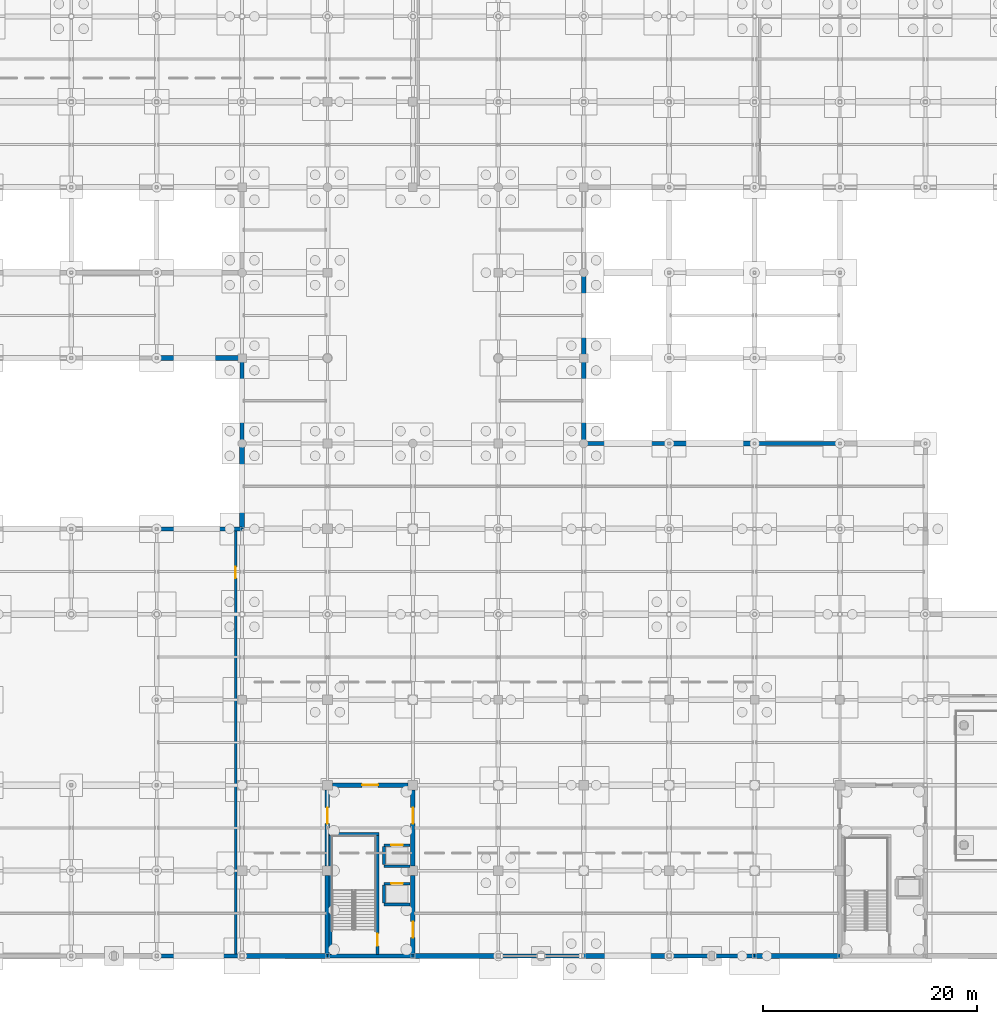
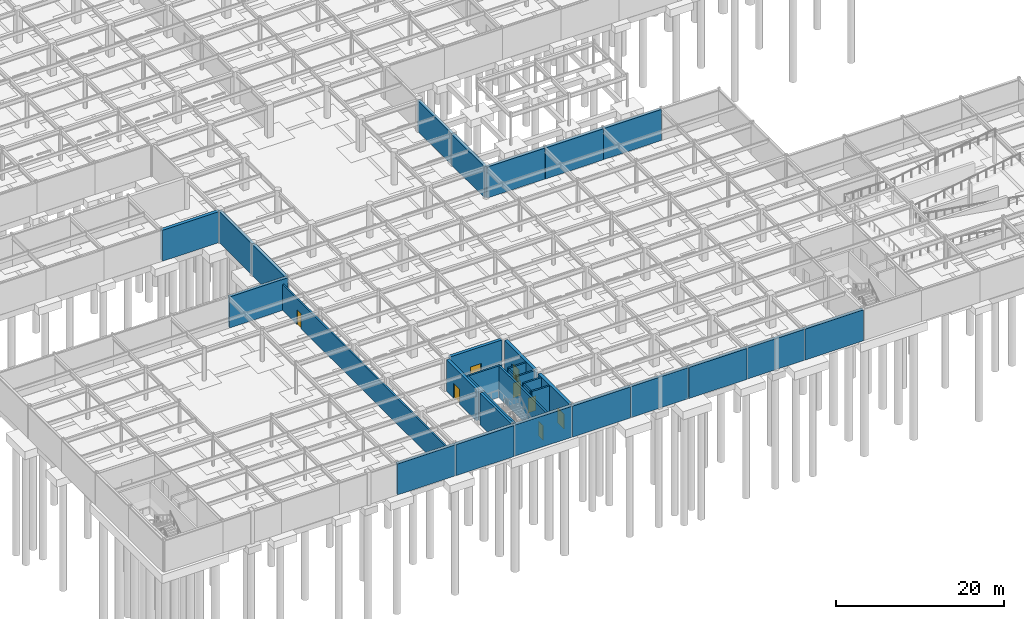
# One storey, part 57 of 105: 32 walls, 8 doors, 8 openings.
"""IFC4 building model written with IfcOpenShell, lengths in metres."""

from ifc_helpers import new_model, si_unit, direction, frame, frame_2d, origin, place, context, subcontext, project, spatial, rectangle, extrude, material, layer, layer_set, type_object, element, fill, save


model = new_model("IFC4")

# Units and contexts
model_context = context("Model", 3, precision=1e-05, world=origin(), true_north=direction((0.0, 1.0)))
body_context = subcontext(model_context, "Body", "Model", "MODEL_VIEW")
ifc_project = project(units=[si_unit("LENGTHUNIT", "METRE"), si_unit("AREAUNIT", "SQUARE_METRE"), si_unit("VOLUMEUNIT", "CUBIC_METRE"), si_unit("PLANEANGLEUNIT", "RADIAN"), si_unit("MASSUNIT", "GRAM", prefix="KILO")], contexts=[model_context])

# Site, building, storey
site_placement = place(None, origin())
site = spatial("IfcSite", under=ifc_project, at=site_placement, CompositionType="ELEMENT")
building_placement = place(site_placement, origin())
building = spatial("IfcBuilding", under=site, at=building_placement, Name="Solmirada Galleria", CompositionType="ELEMENT")
storey_placement = place(building_placement, frame((0.0, 0.0, -4.800048828125)))
storey = spatial("IfcBuildingStorey", under=building, at=storey_placement, Name="B1", CompositionType="ELEMENT", Elevation=-4.800048828125)

# Wall, opening, door
ifc_material_1 = material(Name="Concrete C40/50", Category="concrete")
ifc_layer_1 = layer(ifc_material_1, 0.419921875)
ifc_layer_set_1 = layer_set([ifc_layer_1], Name="Concrete C40/50")
wall_type_1 = type_object("IfcWallType", Name="WL-CORE-420", PredefinedType="SHEAR", material=ifc_layer_set_1)
wall_1_placement = place(storey_placement, frame((88.449951171875, 16.0, 0.0), z_axis=(0.0, 0.0, 1.0), x_axis=(1.0, 0.0, 0.0)))
wall_1 = element("IfcWall", 1, at=wall_1_placement, inside=storey, type_object=wall_type_1, Name="Core C2 shear wall B1 N1", PredefinedType="SHEAR", context=body_context, shape_type="SweptSolid", body=[
    extrude(rectangle(XDim=7.10009765625, YDim=0.419921875, at=frame_2d((3.550048828125, 0.0))), origin(), (0.0, 0.0, 1.0), 4.580078125),
])
opening_1_placement = place(wall_1_placement, frame((2.800048828125, 0.0, 0.0)))
opening_1 = element("IfcOpeningElement", 2, at=opening_1_placement, cuts=wall_1, Name="Opening LDY-130", PredefinedType="OPENING", context=body_context, shape_type="SweptSolid", body=[
    extrude(rectangle(XDim=1.5, YDim=2.14990234375, at=frame_2d((0.75, 1.074951171875))), frame((0.0, 0.219970703125, 0.0), z_axis=(0.0, -1.0, 0.0), x_axis=(1.0, 0.0, 0.0)), (0.0, 0.0, 1.0), 0.43994140625),
])
ifc_material_2 = material(Name="Fire-rated painted steel door assembly", Category="steel")
door_type_1 = type_object("IfcDoorType", Name="DR-LOBBY-150X215", OperationType="DOUBLE_DOOR_SINGLE_SWING", PredefinedType="DOOR", material=ifc_material_2)
door_1_placement = place(opening_1_placement, origin())
door_1 = element("IfcDoor", 3, at=door_1_placement, inside=storey, type_object=door_type_1, Name="Core C2 lobby access fire door LDY-130", OperationType="DOUBLE_DOOR_SINGLE_SWING", OverallHeight=2.14990234375, OverallWidth=1.5, PredefinedType="DOOR", context=body_context, shape_type="SweptSolid", body=[
    extrude(rectangle(XDim=1.5, YDim=2.14990234375, at=frame_2d((0.75, 1.074951171875))), frame((0.0, 0.02490234375, 0.0), z_axis=(0.0, -1.0, 0.0), x_axis=(1.0, 0.0, 0.0)), (0.0, 0.0, 1.0), 0.050048828125),
])
fill(opening_1, door_1)

# Wall
wall_2_placement = place(storey_placement, frame((88.0, 0.202880859375, 0.0), z_axis=(0.0, 0.0, 1.0), x_axis=(0.0, 1.0, 0.0)))
element("IfcWall", 4, at=wall_2_placement, inside=storey, type_object=wall_type_1, Name="Core C2 shear wall B1 W1", PredefinedType="SHEAR", context=body_context, shape_type="SweptSolid", body=[
    extrude(rectangle(XDim=7.34716796875, YDim=0.419921875, at=frame_2d((3.673583984375, 0.0))), origin(), (0.0, 0.0, 1.0), 4.580078125),
])

# Wall, opening, door
wall_3_placement = place(storey_placement, frame((88.0, 8.449951171875, 0.0), z_axis=(0.0, 0.0, 1.0), x_axis=(0.0, 1.0, 0.0)))
wall_3 = element("IfcWall", 5, at=wall_3_placement, inside=storey, type_object=wall_type_1, Name="Core C2 shear wall B1 W2", PredefinedType="SHEAR", context=body_context, shape_type="SweptSolid", body=[
    extrude(rectangle(XDim=7.10009765625, YDim=0.419921875, at=frame_2d((3.550048828125, 0.0))), origin(), (0.0, 0.0, 1.0), 4.580078125),
])
opening_2_placement = place(wall_3_placement, frame((3.949951171875, 0.0, 0.0)))
opening_2 = element("IfcOpeningElement", 6, at=opening_2_placement, cuts=wall_3, Name="Opening LDY-131", PredefinedType="OPENING", context=body_context, shape_type="SweptSolid", body=[
    extrude(rectangle(XDim=1.5, YDim=2.14990234375, at=frame_2d((0.75, 1.074951171875))), frame((0.0, 0.219970703125, 0.0), z_axis=(0.0, -1.0, 0.0), x_axis=(1.0, 0.0, 0.0)), (0.0, 0.0, 1.0), 0.43994140625),
])
door_2_placement = place(opening_2_placement, origin())
door_2 = element("IfcDoor", 7, at=door_2_placement, inside=storey, type_object=door_type_1, Name="Core C2 lobby access fire door LDY-131", OperationType="DOUBLE_DOOR_SINGLE_SWING", OverallHeight=2.14990234375, OverallWidth=1.5, PredefinedType="DOOR", context=body_context, shape_type="SweptSolid", body=[
    extrude(rectangle(XDim=1.5, YDim=2.14990234375, at=frame_2d((0.75, 1.074951171875))), frame((0.0, 0.02490234375, 0.0), z_axis=(0.0, -1.0, 0.0), x_axis=(1.0, 0.0, 0.0)), (0.0, 0.0, 1.0), 0.050048828125),
])
fill(opening_2, door_2)

wall_4_placement = place(storey_placement, frame((96.0, 0.202880859375, 0.0), z_axis=(0.0, 0.0, 1.0), x_axis=(0.0, 1.0, 0.0)))
wall_4 = element("IfcWall", 8, at=wall_4_placement, inside=storey, type_object=wall_type_1, Name="Core C2 shear wall B1 E1", PredefinedType="SHEAR", context=body_context, shape_type="SweptSolid", body=[
    extrude(rectangle(XDim=7.34716796875, YDim=0.419921875, at=frame_2d((3.673583984375, 0.0))), origin(), (0.0, 0.0, 1.0), 4.580078125),
])
opening_3_placement = place(wall_4_placement, frame((1.52294921875, 0.0, 0.0)))
opening_3 = element("IfcOpeningElement", 9, at=opening_3_placement, cuts=wall_4, Name="Opening LDY-132", PredefinedType="OPENING", context=body_context, shape_type="SweptSolid", body=[
    extrude(rectangle(XDim=1.5, YDim=2.14990234375, at=frame_2d((0.75, 1.074951171875))), frame((0.0, 0.219970703125, 0.0), z_axis=(0.0, -1.0, 0.0), x_axis=(1.0, 0.0, 0.0)), (0.0, 0.0, 1.0), 0.43994140625),
])
door_3_placement = place(opening_3_placement, origin())
door_3 = element("IfcDoor", 10, at=door_3_placement, inside=storey, type_object=door_type_1, Name="Core C2 lobby access fire door LDY-132", OperationType="DOUBLE_DOOR_SINGLE_SWING", OverallHeight=2.14990234375, OverallWidth=1.5, PredefinedType="DOOR", context=body_context, shape_type="SweptSolid", body=[
    extrude(rectangle(XDim=1.5, YDim=2.14990234375, at=frame_2d((0.75, 1.074951171875))), frame((0.0, 0.02490234375, 0.0), z_axis=(0.0, -1.0, 0.0), x_axis=(1.0, 0.0, 0.0)), (0.0, 0.0, 1.0), 0.050048828125),
])
fill(opening_3, door_3)

wall_5_placement = place(storey_placement, frame((96.0, 8.449951171875, 0.0), z_axis=(0.0, 0.0, 1.0), x_axis=(0.0, 1.0, 0.0)))
wall_5 = element("IfcWall", 11, at=wall_5_placement, inside=storey, type_object=wall_type_1, Name="Core C2 shear wall B1 E2", PredefinedType="SHEAR", context=body_context, shape_type="SweptSolid", body=[
    extrude(rectangle(XDim=7.10009765625, YDim=0.419921875, at=frame_2d((3.550048828125, 0.0))), origin(), (0.0, 0.0, 1.0), 4.580078125),
])
opening_4_placement = place(wall_5_placement, frame((3.949951171875, 0.0, 0.0)))
opening_4 = element("IfcOpeningElement", 12, at=opening_4_placement, cuts=wall_5, Name="Opening LDY-133", PredefinedType="OPENING", context=body_context, shape_type="SweptSolid", body=[
    extrude(rectangle(XDim=1.5, YDim=2.14990234375, at=frame_2d((0.75, 1.074951171875))), frame((0.0, 0.219970703125, 0.0), z_axis=(0.0, -1.0, 0.0), x_axis=(1.0, 0.0, 0.0)), (0.0, 0.0, 1.0), 0.43994140625),
])
door_4_placement = place(opening_4_placement, origin())
door_4 = element("IfcDoor", 13, at=door_4_placement, inside=storey, type_object=door_type_1, Name="Core C2 lobby access fire door LDY-133", OperationType="DOUBLE_DOOR_SINGLE_SWING", OverallHeight=2.14990234375, OverallWidth=1.5, PredefinedType="DOOR", context=body_context, shape_type="SweptSolid", body=[
    extrude(rectangle(XDim=1.5, YDim=2.14990234375, at=frame_2d((0.75, 1.074951171875))), frame((0.0, 0.02490234375, 0.0), z_axis=(0.0, -1.0, 0.0), x_axis=(1.0, 0.0, 0.0)), (0.0, 0.0, 1.0), 0.050048828125),
])
fill(opening_4, door_4)

ifc_layer_2 = layer(ifc_material_1, 0.239990234375)
ifc_layer_set_2 = layer_set([ifc_layer_2], Name="Concrete C40/50")
wall_type_2 = type_object("IfcWallType", Name="WL-HOIST-240", PredefinedType="PARTITIONING", material=ifc_layer_set_2)
wall_6_placement = place(storey_placement, frame((93.294921875, 6.780029296875, 0.0), z_axis=(0.0, 0.0, 1.0), x_axis=(1.0, 0.0, 0.0)))
wall_6 = element("IfcWall", 14, at=wall_6_placement, inside=storey, type_object=wall_type_2, Name="Lift LP3 hoistway front wall B1", PredefinedType="PARTITIONING", context=body_context, shape_type="SweptSolid", body=[
    extrude(rectangle(XDim=2.41015625, YDim=0.239990234375, at=frame_2d((1.205078125, 0.0))), origin(), (0.0, 0.0, 1.0), 4.580078125),
])
opening_5_placement = place(wall_6_placement, frame((0.655029296875, 0.0, 0.0)))
opening_5 = element("IfcOpeningElement", 15, at=opening_5_placement, cuts=wall_6, Name="Opening LD-LP3-B1", PredefinedType="OPENING", context=body_context, shape_type="SweptSolid", body=[
    extrude(rectangle(XDim=1.10009765625, YDim=2.14990234375, at=frame_2d((0.550048828125, 1.074951171875))), frame((0.0, 0.1298828125, 0.0), z_axis=(0.0, -1.0, 0.0), x_axis=(1.0, 0.0, 0.0)), (0.0, 0.0, 1.0), 0.260009765625),
])
ifc_material_3 = material(Name="Brushed stainless-steel sliding landing door", Category="steel")
door_type_2 = type_object("IfcDoorType", Name="DR-LIFT-110X215", OperationType="SLIDING_TO_LEFT", PredefinedType="DOOR", material=ifc_material_3)
door_5_placement = place(opening_5_placement, origin())
door_5 = element("IfcDoor", 16, at=door_5_placement, inside=storey, type_object=door_type_2, Name="Lift LP3 sliding landing door B1", OperationType="SLIDING_TO_LEFT", OverallHeight=2.14990234375, OverallWidth=1.10009765625, PredefinedType="DOOR", context=body_context, shape_type="SweptSolid", body=[
    extrude(rectangle(XDim=1.10009765625, YDim=2.14990234375, at=frame_2d((0.550048828125, 1.074951171875))), frame((0.0, 0.02490234375, 0.0), z_axis=(0.0, -1.0, 0.0), x_axis=(1.0, 0.0, 0.0)), (0.0, 0.0, 1.0), 0.050048828125),
])
fill(opening_5, door_5)

# Walls
wall_7_placement = place(storey_placement, frame((93.294921875, 4.820068359375, 0.0), z_axis=(0.0, 0.0, 1.0), x_axis=(1.0, 0.0, 0.0)))
element("IfcWall", 17, at=wall_7_placement, inside=storey, type_object=wall_type_2, Name="Lift LP3 hoistway rear wall B1", PredefinedType="PARTITIONING", context=body_context, shape_type="SweptSolid", body=[
    extrude(rectangle(XDim=2.41015625, YDim=0.239990234375, at=frame_2d((1.205078125, 0.0))), origin(), (0.0, 0.0, 1.0), 4.580078125),
])
wall_8_placement = place(storey_placement, frame((93.294921875, 4.9599609375, 0.0), z_axis=(0.0, 0.0, 1.0), x_axis=(0.0, 1.0, 0.0)))
element("IfcWall", 18, at=wall_8_placement, inside=storey, type_object=wall_type_2, Name="Lift LP3 hoistway side wall L B1", PredefinedType="PARTITIONING", context=body_context, shape_type="SweptSolid", body=[
    extrude(rectangle(XDim=1.679931640625, YDim=0.239990234375, at=frame_2d((0.83984375, 0.0))), origin(), (0.0, 0.0, 1.0), 4.580078125),
])

# Wall, opening, door
wall_9_placement = place(storey_placement, frame((93.294921875, 10.3798828125, 0.0), z_axis=(0.0, 0.0, 1.0), x_axis=(1.0, 0.0, 0.0)))
wall_9 = element("IfcWall", 19, at=wall_9_placement, inside=storey, type_object=wall_type_2, Name="Lift LP4 hoistway front wall B1", PredefinedType="PARTITIONING", context=body_context, shape_type="SweptSolid", body=[
    extrude(rectangle(XDim=2.41015625, YDim=0.239990234375, at=frame_2d((1.205078125, 0.0))), origin(), (0.0, 0.0, 1.0), 4.580078125),
])
opening_6_placement = place(wall_9_placement, frame((0.655029296875, 0.0, 0.0)))
opening_6 = element("IfcOpeningElement", 20, at=opening_6_placement, cuts=wall_9, Name="Opening LD-LP4-B1", PredefinedType="OPENING", context=body_context, shape_type="SweptSolid", body=[
    extrude(rectangle(XDim=1.10009765625, YDim=2.14990234375, at=frame_2d((0.550048828125, 1.074951171875))), frame((0.0, 0.1298828125, 0.0), z_axis=(0.0, -1.0, 0.0), x_axis=(1.0, 0.0, 0.0)), (0.0, 0.0, 1.0), 0.260009765625),
])
door_6_placement = place(opening_6_placement, origin())
door_6 = element("IfcDoor", 21, at=door_6_placement, inside=storey, type_object=door_type_2, Name="Lift LP4 sliding landing door B1", OperationType="SLIDING_TO_LEFT", OverallHeight=2.14990234375, OverallWidth=1.10009765625, PredefinedType="DOOR", context=body_context, shape_type="SweptSolid", body=[
    extrude(rectangle(XDim=1.10009765625, YDim=2.14990234375, at=frame_2d((0.550048828125, 1.074951171875))), frame((0.0, 0.02490234375, 0.0), z_axis=(0.0, -1.0, 0.0), x_axis=(1.0, 0.0, 0.0)), (0.0, 0.0, 1.0), 0.050048828125),
])
fill(opening_6, door_6)

# Walls
wall_10_placement = place(storey_placement, frame((93.294921875, 8.419921875, 0.0), z_axis=(0.0, 0.0, 1.0), x_axis=(1.0, 0.0, 0.0)))
element("IfcWall", 22, at=wall_10_placement, inside=storey, type_object=wall_type_2, Name="Lift LP4 hoistway rear wall B1", PredefinedType="PARTITIONING", context=body_context, shape_type="SweptSolid", body=[
    extrude(rectangle(XDim=2.41015625, YDim=0.239990234375, at=frame_2d((1.205078125, 0.0))), origin(), (0.0, 0.0, 1.0), 4.580078125),
])
wall_11_placement = place(storey_placement, frame((93.294921875, 8.56005859375, 0.0), z_axis=(0.0, 0.0, 1.0), x_axis=(0.0, 1.0, 0.0)))
element("IfcWall", 23, at=wall_11_placement, inside=storey, type_object=wall_type_2, Name="Lift LP4 hoistway side wall L B1", PredefinedType="PARTITIONING", context=body_context, shape_type="SweptSolid", body=[
    extrude(rectangle(XDim=1.679931640625, YDim=0.239990234375, at=frame_2d((0.83984375, 0.0))), origin(), (0.0, 0.0, 1.0), 4.580078125),
])

# Wall, opening, door
ifc_material_4 = material(Name="Fire-rated gypsum and steel-stud partition", Category="steel")
ifc_layer_3 = layer(ifc_material_4, 0.219970703125)
ifc_layer_set_3 = layer_set([ifc_layer_3], Name="Fire-rated gypsum and steel-stud partition")
wall_type_3 = type_object("IfcWallType", Name="WL-PART-220", PredefinedType="PARTITIONING", material=ifc_layer_set_3)
wall_12_placement = place(storey_placement, frame((79.39990234375, 0.199951171875, 0.0), z_axis=(0.0, 0.0, 1.0), x_axis=(0.0, 1.0, 0.0)))
wall_12 = element("IfcWall", 24, at=wall_12_placement, inside=storey, type_object=wall_type_3, Name="Partition B1-007 (Water Tank and Fire Pump Room)", PredefinedType="PARTITIONING", context=body_context, shape_type="SweptSolid", body=[
    extrude(rectangle(XDim=39.60009765625, YDim=0.219970703125, at=frame_2d((19.800048828125, 0.0))), origin(), (0.0, 0.0, 1.0), 3.780029296875),
])
opening_7_placement = place(wall_12_placement, frame((35.18505859375, 0.0, 0.0)))
opening_7 = element("IfcOpeningElement", 25, at=opening_7_placement, cuts=wall_12, Name="Opening ID-262", PredefinedType="OPENING", context=body_context, shape_type="SweptSolid", body=[
    extrude(rectangle(XDim=1.050048828125, YDim=2.14990234375, at=frame_2d((0.52490234375, 1.074951171875))), frame((0.0, 0.119873046875, 0.0), z_axis=(0.0, -1.0, 0.0), x_axis=(1.0, 0.0, 0.0)), (0.0, 0.0, 1.0), 0.239990234375),
])
door_type_3 = type_object("IfcDoorType", Name="DR-FIRE-105X215", OperationType="NOTDEFINED", PredefinedType="DOOR", material=ifc_material_2)
door_7_placement = place(opening_7_placement, origin())
door_7 = element("IfcDoor", 26, at=door_7_placement, inside=storey, type_object=door_type_3, Name="Water Tank and Fire Pump Room door ID-262", OperationType="SINGLE_SWING_RIGHT", OverallHeight=2.14990234375, OverallWidth=1.050048828125, PredefinedType="DOOR", context=body_context, shape_type="SweptSolid", body=[
    extrude(rectangle(XDim=1.050048828125, YDim=2.14990234375, at=frame_2d((0.52490234375, 1.074951171875))), frame((0.0, 0.02490234375, 0.0), z_axis=(0.0, -1.0, 0.0), x_axis=(1.0, 0.0, 0.0)), (0.0, 0.0, 1.0), 0.050048828125),
])
fill(opening_7, door_7)

# Walls
ifc_material_5 = material(Name="Concrete C35/45", Category="concrete")
ifc_layer_4 = layer(ifc_material_5, 0.39990234375)
ifc_layer_set_4 = layer_set([ifc_layer_4], Name="Concrete C35/45")
wall_type_4 = type_object("IfcWallType", Name="WL-RET-400", PredefinedType="USERDEFINED", material=ifc_layer_set_4)
for number, where, z_axis, x_axis, name in (
    (27, (128.0, 0.0, 0.0), (0.0, 0.0, 1.0), (-1.0, 0.0, 0.0), "Basement retaining wall 007"),
    (28, (112.0, 0.0, 0.0), (0.0, 0.0, 1.0), (-1.0, 0.0, 0.0), "Basement retaining wall 009"),
    (29, (96.0, 0.0, 0.0), (0.0, 0.0, 1.0), (-1.0, 0.0, 0.0), "Basement retaining wall 011"),
    (30, (80.0, 0.0, 0.0), (0.0, 0.0, 1.0), (-1.0, 0.0, 0.0), "Basement retaining wall 013"),
    (31, (72.0, 40.0, 0.0), (0.0, 0.0, 1.0), (1.0, 0.0, 0.0), "Basement retaining wall 027"),
    (32, (80.0, 48.0, 0.0), (0.0, 0.0, 1.0), (0.0, 1.0, 0.0), "Basement retaining wall 029"),
    (33, (112.0, 64.0, 0.0), (0.0, 0.0, 1.0), (0.0, -1.0, 0.0), "Basement retaining wall 093"),
    (34, (112.0, 48.0, 0.0), (0.0, 0.0, 1.0), (1.0, 0.0, 0.0), "Basement retaining wall 095"),
    (35, (128.0, 48.0, 0.0), (0.0, 0.0, 1.0), (1.0, 0.0, 0.0), "Basement retaining wall 097"),
):
    element("IfcWall", number, at=place(storey_placement, frame(where, z_axis=z_axis, x_axis=x_axis)), inside=storey, type_object=wall_type_4, Name=name, ObjectType="RETAININGWALL", PredefinedType="USERDEFINED", context=body_context, shape_type="SweptSolid", body=[
        extrude(rectangle(XDim=8.0, YDim=0.39990234375, at=frame_2d((4.0, 0.0))), origin(), (0.0, 0.0, 1.0), 4.5),
    ])
ifc_layer_5 = layer(ifc_material_5, 0.449951171875)
ifc_layer_set_5 = layer_set([ifc_layer_5], Name="Concrete C35/45")
wall_type_5 = type_object("IfcWallType", Name="WL-RET-450", PredefinedType="USERDEFINED", material=ifc_layer_set_5)
for number, where, z_axis, x_axis, name in (
    (36, (136.0, 0.0, 0.0), (0.0, 0.0, 1.0), (-1.0, 0.0, 0.0), "Basement retaining wall 006"),
    (37, (120.0, 0.0, 0.0), (0.0, 0.0, 1.0), (-1.0, 0.0, 0.0), "Basement retaining wall 008"),
    (38, (104.0, 0.0, 0.0), (0.0, 0.0, 1.0), (-1.0, 0.0, 0.0), "Basement retaining wall 010"),
    (39, (88.0, 0.0, 0.0), (0.0, 0.0, 1.0), (-1.0, 0.0, 0.0), "Basement retaining wall 012"),
    (40, (80.0, 40.0, 0.0), (0.0, 0.0, 1.0), (0.0, 1.0, 0.0), "Basement retaining wall 028"),
    (41, (80.0, 56.0, 0.0), (0.0, 0.0, 1.0), (-1.0, 0.0, 0.0), "Basement retaining wall 030"),
    (42, (112.0, 56.0, 0.0), (0.0, 0.0, 1.0), (0.0, -1.0, 0.0), "Basement retaining wall 094"),
    (43, (120.0, 48.0, 0.0), (0.0, 0.0, 1.0), (1.0, 0.0, 0.0), "Basement retaining wall 096"),
):
    element("IfcWall", number, at=place(storey_placement, frame(where, z_axis=z_axis, x_axis=x_axis)), inside=storey, type_object=wall_type_5, Name=name, ObjectType="RETAININGWALL", PredefinedType="USERDEFINED", context=body_context, shape_type="SweptSolid", body=[
        extrude(rectangle(XDim=8.0, YDim=0.449951171875, at=frame_2d((4.0, 0.0))), origin(), (0.0, 0.0, 1.0), 4.5),
    ])
ifc_layer_6 = layer(ifc_material_1, 0.260009765625)
ifc_layer_set_6 = layer_set([ifc_layer_6], Name="Concrete C40/50")
wall_type_6 = type_object("IfcWallType", Name="WL-SHAFT-260", PredefinedType="SHEAR", material=ifc_layer_set_6)
wall_13_placement = place(storey_placement, frame((88.139892578125, 11.429931640625, 0.0), z_axis=(0.0, 0.0, 1.0), x_axis=(1.0, 0.0, 0.0)))
element("IfcWall", 44, at=wall_13_placement, inside=storey, type_object=wall_type_6, Name="Stair ST2 enclosure wall B1 N", PredefinedType="SHEAR", context=body_context, shape_type="SweptSolid", body=[
    extrude(rectangle(XDim=4.670166015625, YDim=0.260009765625, at=frame_2d((2.3349609375, 0.0))), origin(), (0.0, 0.0, 1.0), 4.580078125),
])
wall_14_placement = place(storey_placement, frame((88.27001953125, 0.14501953125, 0.0), z_axis=(0.0, 0.0, 1.0), x_axis=(0.0, 1.0, 0.0)))
element("IfcWall", 45, at=wall_14_placement, inside=storey, type_object=wall_type_6, Name="Stair ST2 enclosure wall B1 W", PredefinedType="SHEAR", context=body_context, shape_type="SweptSolid", body=[
    extrude(rectangle(XDim=11.155029296875, YDim=0.260009765625, at=frame_2d((5.57763671875, 0.0))), origin(), (0.0, 0.0, 1.0), 4.580078125),
])

# Wall, opening, door
wall_15_placement = place(storey_placement, frame((92.679931640625, 0.14501953125, 0.0), z_axis=(0.0, 0.0, 1.0), x_axis=(0.0, 1.0, 0.0)))
wall_15 = element("IfcWall", 46, at=wall_15_placement, inside=storey, type_object=wall_type_6, Name="Stair ST2 enclosure wall B1 E", PredefinedType="SHEAR", context=body_context, shape_type="SweptSolid", body=[
    extrude(rectangle(XDim=11.155029296875, YDim=0.260009765625, at=frame_2d((5.57763671875, 0.0))), origin(), (0.0, 0.0, 1.0), 4.580078125),
])
opening_8_placement = place(wall_15_placement, frame((0.804931640625, 0.0, 0.0)))
opening_8 = element("IfcOpeningElement", 47, at=opening_8_placement, cuts=wall_15, Name="Opening SD-129", PredefinedType="OPENING", context=body_context, shape_type="SweptSolid", body=[
    extrude(rectangle(XDim=1.14990234375, YDim=2.14990234375, at=frame_2d((0.574951171875, 1.074951171875))), frame((0.0, 0.139892578125, 0.0), z_axis=(0.0, -1.0, 0.0), x_axis=(1.0, 0.0, 0.0)), (0.0, 0.0, 1.0), 0.280029296875),
])
door_type_4 = type_object("IfcDoorType", Name="DR-STAIR-115X215", OperationType="NOTDEFINED", PredefinedType="DOOR", material=ifc_material_2)
door_8_placement = place(opening_8_placement, origin())
door_8 = element("IfcDoor", 48, at=door_8_placement, inside=storey, type_object=door_type_4, Name="Exit stair ST2 enclosure fire door SD-129", OperationType="SINGLE_SWING_LEFT", OverallHeight=2.14990234375, OverallWidth=1.14990234375, PredefinedType="DOOR", context=body_context, shape_type="SweptSolid", body=[
    extrude(rectangle(XDim=1.14990234375, YDim=2.14990234375, at=frame_2d((0.574951171875, 1.074951171875))), frame((0.0, 0.02490234375, 0.0), z_axis=(0.0, -1.0, 0.0), x_axis=(1.0, 0.0, 0.0)), (0.0, 0.0, 1.0), 0.050048828125),
])
fill(opening_8, door_8)

save(model, "model.ifc")
